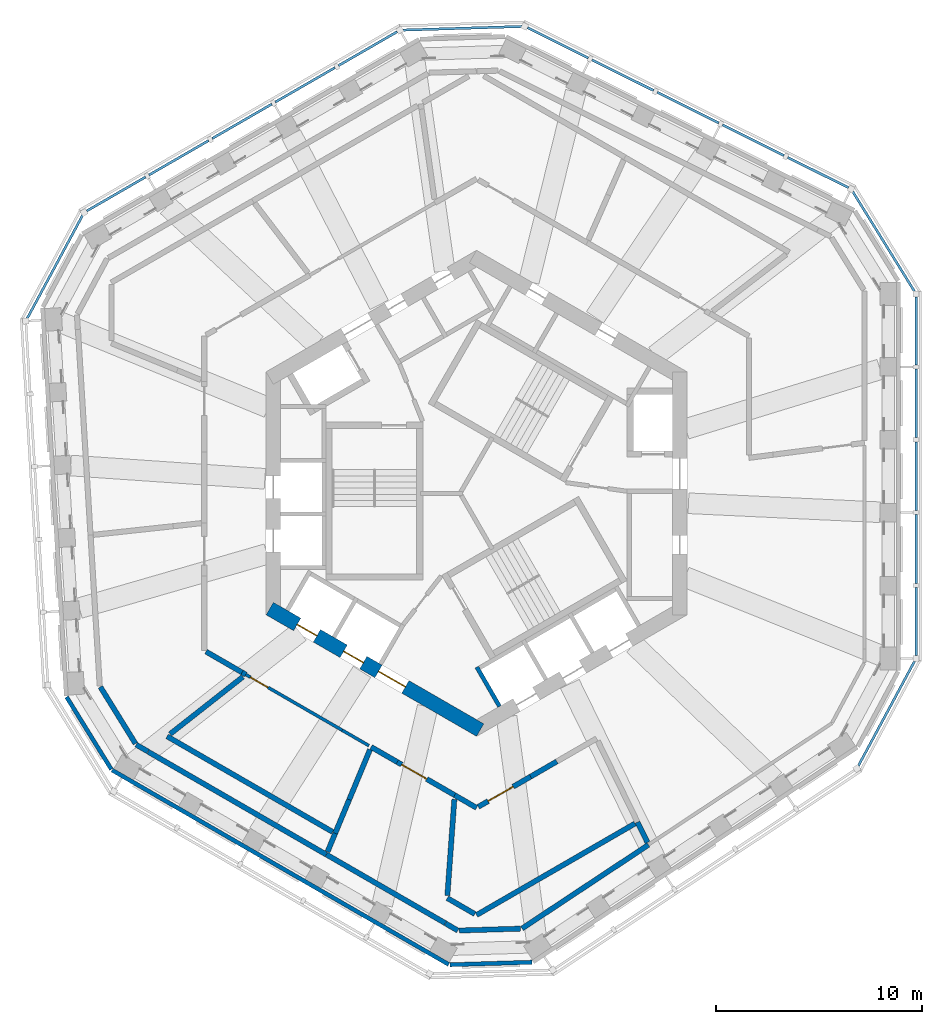
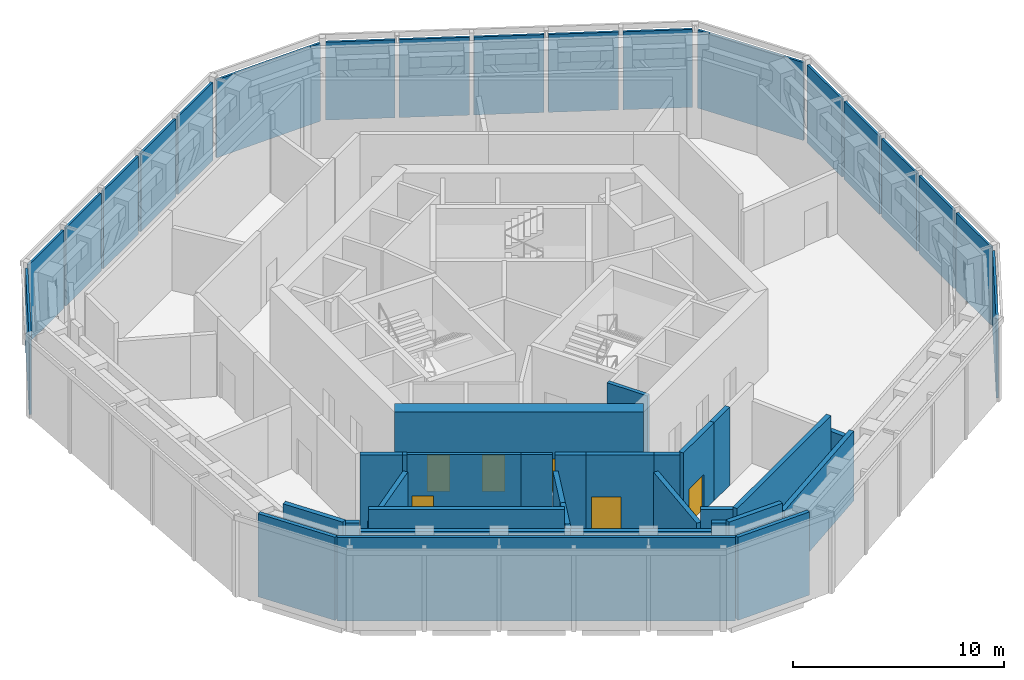
# One storey, part 5 of 14: 30 walls, 19 plates, 6 doors, 6 openings, 7 elements without a shape of their own.
"""IFC4 building model written with IfcOpenShell, lengths in metres."""

from ifc_helpers import new_model, si_unit, direction, frame, frame_2d, origin, origin_2d, place, context, subcontext, project, spatial, rectangle, extrude, material, layer, layer_set, type_object, element, fill, aggregate, save


model = new_model("IFC4")

# Units and contexts
model_context = context("Model", 3, precision=1e-05, world=origin(), true_north=direction((0.0, 1.0)))
body_context = subcontext(model_context, "Body", "Model", "MODEL_VIEW")
ifc_project = project(units=[si_unit("LENGTHUNIT", "METRE"), si_unit("AREAUNIT", "SQUARE_METRE"), si_unit("VOLUMEUNIT", "CUBIC_METRE"), si_unit("PLANEANGLEUNIT", "RADIAN"), si_unit("MASSUNIT", "GRAM", prefix="KILO")], contexts=[model_context])

# Site, building, storey
site_placement = place(None, origin())
site = spatial("IfcSite", under=ifc_project, at=site_placement, CompositionType="ELEMENT")
building_placement = place(site_placement, origin())
building = spatial("IfcBuilding", under=site, at=building_placement, Name="Vanh Sen Convention Tower", CompositionType="ELEMENT")
storey_placement = place(building_placement, frame((0.0, 0.0, 255.0)))
storey = spatial("IfcBuildingStorey", under=building, at=storey_placement, Name="L63", CompositionType="ELEMENT", Elevation=255.0)

# Curtain wall, plates
ifc_material_1 = material(Name="Concrete C50/60", Category="concrete")
curtain_wall_type = type_object("IfcCurtainWallType", Name="Outer skin office zone", PredefinedType="NOTDEFINED", material=ifc_material_1)
curtain_wall_1_placement = place(storey_placement, origin())
curtain_wall_1 = element("IfcCurtainWall", 1, at=curtain_wall_1_placement, inside=storey, type_object=curtain_wall_type, Name="OUTER SKIN E L63", PredefinedType="NOTDEFINED")
ifc_layer_1 = layer(ifc_material_1, 0.1201171875)
ifc_layer_set_1 = layer_set([ifc_layer_1], Name="Concrete C50/60")
plate_type = type_object("IfcPlateType", Name="Outer skin precast screen panel 120", PredefinedType="CURTAIN_PANEL", material=ifc_layer_set_1)
plate_1_placement = place(storey_placement, frame((21.300048828125, -6.2109375, 0.0), z_axis=(0.0, 0.0, 1.0), x_axis=(0.0, 1.0, 0.0)))
plate_1 = element("IfcPlate", 2, at=plate_1_placement, type_object=plate_type, Name="OUTER SKIN screen panel E-1", PredefinedType="CURTAIN_PANEL", context=body_context, shape_type="SweptSolid", body=[
    extrude(rectangle(XDim=3.28369140625, YDim=0.1201171875, at=origin_2d()), origin(), (0.0, 0.0, 1.0), 4.5),
])
plate_2_placement = place(storey_placement, frame((21.300048828125, -2.702392578125, 0.0), z_axis=(0.0, 0.0, 1.0), x_axis=(0.0, 1.0, 0.0)))
plate_2 = element("IfcPlate", 3, at=plate_2_placement, type_object=plate_type, Name="OUTER SKIN screen panel E-2", PredefinedType="CURTAIN_PANEL", context=body_context, shape_type="SweptSolid", body=[
    extrude(rectangle(XDim=3.333740234375, YDim=0.1201171875, at=origin_2d()), origin(), (0.0, 0.0, 1.0), 4.5),
])
plate_3_placement = place(storey_placement, frame((21.300048828125, 0.831298828125, 0.0), z_axis=(0.0, 0.0, 1.0), x_axis=(0.0, 1.0, 0.0)))
plate_3 = element("IfcPlate", 4, at=plate_3_placement, type_object=plate_type, Name="OUTER SKIN screen panel E-3", PredefinedType="CURTAIN_PANEL", context=body_context, shape_type="SweptSolid", body=[
    extrude(rectangle(XDim=3.33349609375, YDim=0.1201171875, at=origin_2d()), origin(), (0.0, 0.0, 1.0), 4.5),
])
plate_4_placement = place(storey_placement, frame((21.300048828125, 4.364990234375, 0.0), z_axis=(0.0, 0.0, 1.0), x_axis=(0.0, 1.0, 0.0)))
plate_4 = element("IfcPlate", 5, at=plate_4_placement, type_object=plate_type, Name="OUTER SKIN screen panel E-4", PredefinedType="CURTAIN_PANEL", context=body_context, shape_type="SweptSolid", body=[
    extrude(rectangle(XDim=3.33349609375, YDim=0.1201171875, at=origin_2d()), origin(), (0.0, 0.0, 1.0), 4.5),
])
plate_5_placement = place(storey_placement, frame((21.300048828125, 7.87353515625, 0.0), z_axis=(0.0, 0.0, 1.0), x_axis=(0.0, 1.0, 0.0)))
plate_5 = element("IfcPlate", 6, at=plate_5_placement, type_object=plate_type, Name="OUTER SKIN screen panel E-5", PredefinedType="CURTAIN_PANEL", context=body_context, shape_type="SweptSolid", body=[
    extrude(rectangle(XDim=3.28369140625, YDim=0.1201171875, at=origin_2d()), origin(), (0.0, 0.0, 1.0), 4.5),
])
aggregate(curtain_wall_1, [plate_1, plate_2, plate_3, plate_4, plate_5])

# Curtain wall, plate
curtain_wall_2_placement = place(storey_placement, origin())
curtain_wall_2 = element("IfcCurtainWall", 7, at=curtain_wall_2_placement, inside=storey, type_object=curtain_wall_type, Name="OUTER SKIN CH1 L63", PredefinedType="NOTDEFINED")
plate_6_placement = place(storey_placement, frame((19.726806640625, 12.20751953125, 0.0), z_axis=(0.0, 0.0, 1.0), x_axis=(-0.526216891938, 0.850350388157, 0.0)))
plate_6 = element("IfcPlate", 8, at=plate_6_placement, type_object=plate_type, Name="OUTER SKIN screen panel CH1-1", PredefinedType="CURTAIN_PANEL", context=body_context, shape_type="SweptSolid", body=[
    extrude(rectangle(XDim=5.6787109375, YDim=0.1201171875, at=origin_2d()), origin(), (0.0, 0.0, 1.0), 4.5),
])
aggregate(curtain_wall_2, [plate_6])

# Curtain wall, plates
curtain_wall_3_placement = place(storey_placement, origin())
curtain_wall_3 = element("IfcCurtainWall", 9, at=curtain_wall_3_placement, inside=storey, type_object=curtain_wall_type, Name="OUTER SKIN NE L63", PredefinedType="NOTDEFINED")
plate_7_placement = place(storey_placement, frame((16.55029296875, 15.549072265625, 0.0), z_axis=(0.0, 0.0, 1.0), x_axis=(-0.894930467757, 0.446205622868, 0.0)))
plate_7 = element("IfcPlate", 10, at=plate_7_placement, type_object=plate_type, Name="OUTER SKIN screen panel NE-1", PredefinedType="CURTAIN_PANEL", context=body_context, shape_type="SweptSolid", body=[
    extrude(rectangle(XDim=3.28369140625, YDim=0.1201171875, at=origin_2d()), origin(), (0.0, 0.0, 1.0), 4.5),
])
plate_8_placement = place(storey_placement, frame((13.410400390625, 17.114501953125, 0.0), z_axis=(0.0, 0.0, 1.0), x_axis=(-0.894935919121, 0.446194689197, 0.0)))
plate_8 = element("IfcPlate", 11, at=plate_8_placement, type_object=plate_type, Name="OUTER SKIN screen panel NE-2", PredefinedType="CURTAIN_PANEL", context=body_context, shape_type="SweptSolid", body=[
    extrude(rectangle(XDim=3.333740234375, YDim=0.1201171875, at=origin_2d()), origin(), (0.0, 0.0, 1.0), 4.5),
])
plate_9_placement = place(storey_placement, frame((10.248046875, 18.691162109375, 0.0), z_axis=(0.0, 0.0, 1.0), x_axis=(-0.894935919121, 0.446194689197, 0.0)))
plate_9 = element("IfcPlate", 12, at=plate_9_placement, type_object=plate_type, Name="OUTER SKIN screen panel NE-3", PredefinedType="CURTAIN_PANEL", context=body_context, shape_type="SweptSolid", body=[
    extrude(rectangle(XDim=3.333740234375, YDim=0.1201171875, at=origin_2d()), origin(), (0.0, 0.0, 1.0), 4.5),
])
plate_10_placement = place(storey_placement, frame((7.085693359375, 20.267822265625, 0.0), z_axis=(0.0, 0.0, 1.0), x_axis=(-0.894935919121, 0.446194689197, 0.0)))
plate_10 = element("IfcPlate", 13, at=plate_10_placement, type_object=plate_type, Name="OUTER SKIN screen panel NE-4", PredefinedType="CURTAIN_PANEL", context=body_context, shape_type="SweptSolid", body=[
    extrude(rectangle(XDim=3.333740234375, YDim=0.1201171875, at=origin_2d()), origin(), (0.0, 0.0, 1.0), 4.5),
])
plate_11_placement = place(storey_placement, frame((3.945556640625, 21.83349609375, 0.0), z_axis=(0.0, 0.0, 1.0), x_axis=(-0.894930467757, 0.446205622868, 0.0)))
plate_11 = element("IfcPlate", 14, at=plate_11_placement, type_object=plate_type, Name="OUTER SKIN screen panel NE-5", PredefinedType="CURTAIN_PANEL", context=body_context, shape_type="SweptSolid", body=[
    extrude(rectangle(XDim=3.28369140625, YDim=0.1201171875, at=origin_2d()), origin(), (0.0, 0.0, 1.0), 4.5),
])
aggregate(curtain_wall_3, [plate_7, plate_8, plate_9, plate_10, plate_11])

# Curtain wall, plate
curtain_wall_4_placement = place(storey_placement, origin())
curtain_wall_4 = element("IfcCurtainWall", 15, at=curtain_wall_4_placement, inside=storey, type_object=curtain_wall_type, Name="OUTER SKIN CH2 L63", PredefinedType="NOTDEFINED")
plate_12_placement = place(storey_placement, frame((-0.688720703125, 22.540283203125, 0.0), z_axis=(0.0, 0.0, 1.0), x_axis=(-0.999533430924, -0.030543746755, 0.0)))
plate_12 = element("IfcPlate", 16, at=plate_12_placement, type_object=plate_type, Name="OUTER SKIN screen panel CH2-1", PredefinedType="CURTAIN_PANEL", context=body_context, shape_type="SweptSolid", body=[
    extrude(rectangle(XDim=5.764404296875, YDim=0.1201171875, at=origin_2d()), origin(), (0.0, 0.0, 1.0), 4.5),
])
aggregate(curtain_wall_4, [plate_12])

# Curtain wall, plates
curtain_wall_5_placement = place(storey_placement, origin())
curtain_wall_5 = element("IfcCurtainWall", 17, at=curtain_wall_5_placement, inside=storey, type_object=curtain_wall_type, Name="OUTER SKIN NW L63", PredefinedType="NOTDEFINED")
plate_13_placement = place(storey_placement, frame((-5.271240234375, 21.5517578125, 0.0), z_axis=(0.0, 0.0, 1.0), x_axis=(-0.866026276448, -0.4999984885, 0.0)))
plate_13 = element("IfcPlate", 18, at=plate_13_placement, type_object=plate_type, Name="OUTER SKIN screen panel NW-1", PredefinedType="CURTAIN_PANEL", context=body_context, shape_type="SweptSolid", body=[
    extrude(rectangle(XDim=3.28369140625, YDim=0.1201171875, at=origin_2d()), origin(), (0.0, 0.0, 1.0), 4.5),
])
plate_14_placement = place(storey_placement, frame((-8.309814453125, 19.797607421875, 0.0), z_axis=(0.0, 0.0, 1.0), x_axis=(-0.866026276448, -0.4999984885, 0.0)))
plate_14 = element("IfcPlate", 19, at=plate_14_placement, type_object=plate_type, Name="OUTER SKIN screen panel NW-2", PredefinedType="CURTAIN_PANEL", context=body_context, shape_type="SweptSolid", body=[
    extrude(rectangle(XDim=3.33349609375, YDim=0.1201171875, at=origin_2d()), origin(), (0.0, 0.0, 1.0), 4.5),
])
plate_15_placement = place(storey_placement, frame((-11.369873046875, 18.03076171875, 0.0), z_axis=(0.0, 0.0, 1.0), x_axis=(-0.866026276448, -0.4999984885, 0.0)))
plate_15 = element("IfcPlate", 20, at=plate_15_placement, type_object=plate_type, Name="OUTER SKIN screen panel NW-3", PredefinedType="CURTAIN_PANEL", context=body_context, shape_type="SweptSolid", body=[
    extrude(rectangle(XDim=3.33349609375, YDim=0.1201171875, at=origin_2d()), origin(), (0.0, 0.0, 1.0), 4.5),
])
plate_16_placement = place(storey_placement, frame((-14.43017578125, 16.263916015625, 0.0), z_axis=(0.0, 0.0, 1.0), x_axis=(-0.866014058921, -0.500019649364, 0.0)))
plate_16 = element("IfcPlate", 21, at=plate_16_placement, type_object=plate_type, Name="OUTER SKIN screen panel NW-4", PredefinedType="CURTAIN_PANEL", context=body_context, shape_type="SweptSolid", body=[
    extrude(rectangle(XDim=3.333740234375, YDim=0.1201171875, at=origin_2d()), origin(), (0.0, 0.0, 1.0), 4.5),
])
plate_17_placement = place(storey_placement, frame((-17.46875, 14.509521484375, 0.0), z_axis=(0.0, 0.0, 1.0), x_axis=(-0.866033257659, -0.499986396443, 0.0)))
plate_17 = element("IfcPlate", 22, at=plate_17_placement, type_object=plate_type, Name="OUTER SKIN screen panel NW-5", PredefinedType="CURTAIN_PANEL", context=body_context, shape_type="SweptSolid", body=[
    extrude(rectangle(XDim=3.28369140625, YDim=0.1201171875, at=origin_2d()), origin(), (0.0, 0.0, 1.0), 4.5),
])
aggregate(curtain_wall_5, [plate_13, plate_14, plate_15, plate_16, plate_17])

# Curtain wall, plate
curtain_wall_6_placement = place(storey_placement, origin())
curtain_wall_6 = element("IfcCurtainWall", 23, at=curtain_wall_6_placement, inside=storey, type_object=curtain_wall_type, Name="OUTER SKIN CH3 L63", PredefinedType="NOTDEFINED")
plate_18_placement = place(storey_placement, frame((-20.435302734375, 10.980224609375, 0.0), z_axis=(0.0, 0.0, 1.0), x_axis=(-0.473307367584, -0.880897346909, 0.0)))
plate_18 = element("IfcPlate", 24, at=plate_18_placement, type_object=plate_type, Name="OUTER SKIN screen panel CH3-1", PredefinedType="CURTAIN_PANEL", context=body_context, shape_type="SweptSolid", body=[
    extrude(rectangle(XDim=5.6787109375, YDim=0.1201171875, at=origin_2d()), origin(), (0.0, 0.0, 1.0), 4.5),
])
aggregate(curtain_wall_6, [plate_18])

curtain_wall_7_placement = place(storey_placement, origin())
curtain_wall_7 = element("IfcCurtainWall", 25, at=curtain_wall_7_placement, inside=storey, type_object=curtain_wall_type, Name="OUTER SKIN CH6 L63", PredefinedType="NOTDEFINED")
plate_19_placement = place(storey_placement, frame((19.864990234375, -10.673828125, 0.0), z_axis=(0.0, 0.0, 1.0), x_axis=(0.473313517396, 0.880894042579, 0.0)))
plate_19 = element("IfcPlate", 26, at=plate_19_placement, type_object=plate_type, Name="OUTER SKIN screen panel CH6-1", PredefinedType="CURTAIN_PANEL", context=body_context, shape_type="SweptSolid", body=[
    extrude(rectangle(XDim=5.76416015625, YDim=0.1201171875, at=origin_2d()), origin(), (0.0, 0.0, 1.0), 4.5),
])
aggregate(curtain_wall_7, [plate_19])

# Walls
ifc_material_2 = material(Name="Concrete C40/50", Category="concrete")
ifc_layer_2 = layer(ifc_material_2, 0.25)
ifc_layer_set_2 = layer_set([ifc_layer_2], Name="Concrete C40/50")
wall_type_1 = type_object("IfcWallType", Name="Concrete wall 250 EI 180", PredefinedType="SOLIDWALL", material=ifc_layer_set_2)
wall_1_placement = place(storey_placement, frame((-0.908935546875, -21.189453125, 0.0), z_axis=(0.0, 0.0, 1.0), x_axis=(-0.866044773228, 0.499966449638, 0.0)))
element("IfcWall", 27, at=wall_1_placement, inside=storey, type_object=wall_type_1, Name="Fire-resisting wall L63-001", PredefinedType="SOLIDWALL", context=body_context, shape_type="SweptSolid", body=[
    extrude(rectangle(XDim=0.69287109375, YDim=0.25, at=frame_2d((0.346435546875, 0.0))), origin(), (0.0, 0.0, 1.0), 4.52001953125),
])
wall_2_placement = place(storey_placement, frame((2.133056640625, -21.098876953125, 0.0), z_axis=(0.0, 0.0, 1.0), x_axis=(-0.999534075992, -0.030522629804, 0.0)))
element("IfcWall", 28, at=wall_2_placement, inside=storey, type_object=wall_type_1, Name="Fire-resisting wall L63-002", PredefinedType="SOLIDWALL", context=body_context, shape_type="SweptSolid", body=[
    extrude(rectangle(XDim=2.9755859375, YDim=0.25, at=frame_2d((1.48779296875, 0.0))), origin(), (0.0, 0.0, 1.0), 4.52001953125),
])
wall_3_placement = place(storey_placement, frame((-1.5166015625, -20.8330078125, 0.0), z_axis=(0.0, 0.0, 1.0), x_axis=(-0.866015126836, 0.500017799774, 0.0)))
element("IfcWall", 29, at=wall_3_placement, inside=storey, type_object=wall_type_1, Name="Fire-resisting wall L63-003", PredefinedType="SOLIDWALL", context=body_context, shape_type="SweptSolid", body=[
    extrude(rectangle(XDim=6.654541015625, YDim=0.25, at=frame_2d((3.3271484375, 0.0))), origin(), (0.0, 0.0, 1.0), 4.02001953125),
])
wall_4_placement = place(storey_placement, frame((-0.086669921875, -20.387939453125, 0.0), z_axis=(0.0, 0.0, 1.0), x_axis=(-0.866116914727, 0.499841464891, 0.0)))
element("IfcWall", 30, at=wall_4_placement, inside=storey, type_object=wall_type_1, Name="Fire-resisting wall L63-004", PredefinedType="SOLIDWALL", context=body_context, shape_type="SweptSolid", body=[
    extrude(rectangle(XDim=1.5390625, YDim=0.25, at=frame_2d((0.76953125, 0.0))), origin(), (0.0, 0.0, 1.0), 4.52001953125),
])
wall_5_placement = place(storey_placement, frame((-7.2919921875, -17.50439453125, 0.0), z_axis=(0.0, 0.0, 1.0), x_axis=(-0.866024002353, 0.500002427343, 0.0)))
element("IfcWall", 31, at=wall_5_placement, inside=storey, type_object=wall_type_1, Name="Fire-resisting wall L63-005", PredefinedType="SOLIDWALL", context=body_context, shape_type="SweptSolid", body=[
    extrude(rectangle(XDim=9.9638671875, YDim=0.25, at=frame_2d((4.98193359375, 0.0))), origin(), (0.0, 0.0, 1.0), 4.02001953125),
])
wall_6_placement = place(storey_placement, frame((-7.223388671875, -17.374755859375, 0.0), z_axis=(0.0, 0.0, 1.0), x_axis=(0.382374085118, 0.924007607669, 0.0)))
element("IfcWall", 32, at=wall_6_placement, inside=storey, type_object=wall_type_1, Name="Fire-resisting wall L63-006", PredefinedType="SOLIDWALL", context=body_context, shape_type="SweptSolid", body=[
    extrude(rectangle(XDim=0.96728515625, YDim=0.25, at=frame_2d((0.483642578125, 0.0))), origin(), (0.0, 0.0, 1.0), 3.60009765625),
])
wall_7_placement = place(storey_placement, frame((8.330078125, -17.03759765625, 0.0), z_axis=(0.0, 0.0, 1.0), x_axis=(-0.833910848154, -0.551899173156, 0.0)))
element("IfcWall", 33, at=wall_7_placement, inside=storey, type_object=wall_type_1, Name="Fire-resisting wall L63-007", PredefinedType="SOLIDWALL", context=body_context, shape_type="SweptSolid", body=[
    extrude(rectangle(XDim=7.349853515625, YDim=0.25, at=frame_2d((3.6748046875, 0.0))), origin(), (0.0, 0.0, 1.0), 4.02001953125),
])
wall_8_placement = place(storey_placement, frame((8.282470703125, -16.920654296875, 0.0), z_axis=(0.0, 0.0, 1.0), x_axis=(-0.438730750158, 0.898618566949, 0.0)))
element("IfcWall", 34, at=wall_8_placement, inside=storey, type_object=wall_type_1, Name="Fire-resisting wall L63-008", PredefinedType="SOLIDWALL", context=body_context, shape_type="SweptSolid", body=[
    extrude(rectangle(XDim=1.09619140625, YDim=0.25, at=frame_2d((0.548095703125, 0.0))), origin(), (0.0, 0.0, 1.0), 3.60009765625),
])
wall_9_placement = place(storey_placement, frame((-6.8525390625, -16.478515625, 0.0), z_axis=(0.0, 0.0, 1.0), x_axis=(0.38378052161, 0.923424339745, 0.0)))
element("IfcWall", 35, at=wall_9_placement, inside=storey, type_object=wall_type_1, Name="Fire-resisting wall L63-009", PredefinedType="SOLIDWALL", context=body_context, shape_type="SweptSolid", body=[
    extrude(rectangle(XDim=1.765380859375, YDim=0.25, at=frame_2d((0.8828125, 0.0))), origin(), (0.0, 0.0, 1.0), 3.60009765625),
])
wall_10_placement = place(storey_placement, frame((-6.974853515625, -16.410888671875, 0.0), z_axis=(0.0, 0.0, 1.0), x_axis=(-0.866045613381, 0.499964994319, 0.0)))
element("IfcWall", 36, at=wall_10_placement, inside=storey, type_object=wall_type_1, Name="Fire-resisting wall L63-010", PredefinedType="SOLIDWALL", context=body_context, shape_type="SweptSolid", body=[
    extrude(rectangle(XDim=9.265380859375, YDim=0.25, at=frame_2d((4.6328125, 0.0))), origin(), (0.0, 0.0, 1.0), 4.52001953125),
])
wall_11_placement = place(storey_placement, frame((7.67822265625, -16.0048828125, 0.0), z_axis=(0.0, 0.0, 1.0), x_axis=(-0.866021420858, -0.500006898567, 0.0)))
element("IfcWall", 37, at=wall_11_placement, inside=storey, type_object=wall_type_1, Name="Fire-resisting wall L63-011", PredefinedType="SOLIDWALL", context=body_context, shape_type="SweptSolid", body=[
    extrude(rectangle(XDim=8.865966796875, YDim=0.25, at=frame_2d((4.43310546875, 0.0))), origin(), (0.0, 0.0, 1.0), 4.52001953125),
])
wall_12_placement = place(storey_placement, frame((0.0, -15.241943359375, 0.0), z_axis=(0.0, 0.0, 1.0), x_axis=(-0.866052913447, 0.499952348839, 0.0)))
element("IfcWall", 38, at=wall_12_placement, inside=storey, type_object=wall_type_1, Name="Fire-resisting wall L63-013", PredefinedType="SOLIDWALL", context=body_context, shape_type="SweptSolid", body=[
    extrude(rectangle(XDim=1.2255859375, YDim=0.25, at=frame_2d((0.61279296875, 0.0))), origin(), (0.0, 0.0, 1.0), 4.52001953125),
])
wall_13_placement = place(storey_placement, frame((-6.175048828125, -14.848388671875, 0.0), z_axis=(0.0, 0.0, 1.0), x_axis=(0.383969284398, 0.923345866205, 0.0)))
element("IfcWall", 39, at=wall_13_placement, inside=storey, type_object=wall_type_1, Name="Fire-resisting wall L63-014", PredefinedType="SOLIDWALL", context=body_context, shape_type="SweptSolid", body=[
    extrude(rectangle(XDim=2.6298828125, YDim=0.25, at=frame_2d((1.31494140625, 0.0))), origin(), (0.0, 0.0, 1.0), 3.60009765625),
])
wall_14_placement = place(storey_placement, frame((-1.075927734375, -14.82861328125, 0.0), z_axis=(0.0, 0.0, 1.0), x_axis=(-0.072399845952, -0.997375687645, 0.0)))
element("IfcWall", 40, at=wall_14_placement, inside=storey, type_object=wall_type_1, Name="Fire-resisting wall L63-015", PredefinedType="SOLIDWALL", context=body_context, shape_type="SweptSolid", body=[
    extrude(rectangle(XDim=4.680419921875, YDim=0.25, at=frame_2d((2.34033203125, 0.0))), origin(), (0.0, 0.0, 1.0), 3.60009765625),
])

# Wall, opening, door
wall_15_placement = place(storey_placement, frame((-1.0615234375, -14.629150390625, 0.0), z_axis=(0.0, 0.0, 1.0), x_axis=(-0.866018596809, 0.500011789842, 0.0)))
wall_15 = element("IfcWall", 41, at=wall_15_placement, inside=storey, type_object=wall_type_1, Name="Fire-resisting wall L63-016", PredefinedType="SOLIDWALL", context=body_context, shape_type="SweptSolid", body=[
    extrude(rectangle(XDim=3.2138671875, YDim=0.25, at=frame_2d((1.60693359375, 0.0))), origin(), (0.0, 0.0, 1.0), 4.52001953125),
])
opening_1_placement = place(wall_15_placement, frame((1.56396484375, 0.0, 0.0)))
opening_1 = element("IfcOpeningElement", 42, at=opening_1_placement, cuts=wall_15, Name="Opening D63101", PredefinedType="OPENING", context=body_context, shape_type="SweptSolid", body=[
    extrude(rectangle(XDim=1.39990234375, YDim=2.10009765625, at=frame_2d((0.699951171875, 1.050048828125))), frame((0.0, 0.135009765625, 0.0), z_axis=(0.0, -1.0, 0.0), x_axis=(1.0, 0.0, 0.0)), (0.0, 0.0, 1.0), 0.27001953125),
])
ifc_material_3 = material(Name="Steel S355", Category="steel")
door_type_1 = type_object("IfcDoorType", Name="Service door 1400 EI 60", OperationType="SINGLE_SWING_LEFT", PredefinedType="DOOR", material=ifc_material_3)
door_1_placement = place(opening_1_placement, origin())
door_1 = element("IfcDoor", 43, at=door_1_placement, inside=storey, type_object=door_type_1, Name="Service door D63101", OperationType="SINGLE_SWING_LEFT", OverallHeight=2.10009765625, OverallWidth=1.39990234375, PredefinedType="DOOR", context=body_context, shape_type="SweptSolid", body=[
    extrude(rectangle(XDim=1.39990234375, YDim=2.10009765625, at=frame_2d((0.699951171875, 1.050048828125))), frame((0.0, 0.02490234375, 0.0), z_axis=(0.0, -1.0, 0.0), x_axis=(1.0, 0.0, 0.0)), (0.0, 0.0, 1.0), 0.050048828125),
])
fill(opening_1, door_1)

wall_16_placement = place(storey_placement, frame((2.616455078125, -13.7314453125, 0.0), z_axis=(0.0, 0.0, 1.0), x_axis=(-0.866043624834, -0.499968438888, 0.0)))
wall_16 = element("IfcWall", 44, at=wall_16_placement, inside=storey, type_object=wall_type_1, Name="Fire-resisting wall L63-017", PredefinedType="SOLIDWALL", context=body_context, shape_type="SweptSolid", body=[
    extrude(rectangle(XDim=2.921142578125, YDim=0.25, at=frame_2d((1.46044921875, 0.0))), origin(), (0.0, 0.0, 1.0), 4.52001953125),
])
opening_2_placement = place(wall_16_placement, frame((0.97119140625, 0.0, 0.0)))
opening_2 = element("IfcOpeningElement", 45, at=opening_2_placement, cuts=wall_16, Name="Opening D63102", PredefinedType="OPENING", context=body_context, shape_type="SweptSolid", body=[
    extrude(rectangle(XDim=1.39990234375, YDim=2.10009765625, at=frame_2d((0.699951171875, 1.050048828125))), frame((0.0, 0.135009765625, 0.0), z_axis=(0.0, -1.0, 0.0), x_axis=(1.0, 0.0, 0.0)), (0.0, 0.0, 1.0), 0.27001953125),
])
door_2_placement = place(opening_2_placement, origin())
door_2 = element("IfcDoor", 46, at=door_2_placement, inside=storey, type_object=door_type_1, Name="Service door D63102", OperationType="SINGLE_SWING_LEFT", OverallHeight=2.10009765625, OverallWidth=1.39990234375, PredefinedType="DOOR", context=body_context, shape_type="SweptSolid", body=[
    extrude(rectangle(XDim=1.39990234375, YDim=2.10009765625, at=frame_2d((0.699951171875, 1.050048828125))), frame((0.0, 0.02490234375, 0.0), z_axis=(0.0, -1.0, 0.0), x_axis=(1.0, 0.0, 0.0)), (0.0, 0.0, 1.0), 0.050048828125),
])
fill(opening_2, door_2)

# Walls
wall_17_placement = place(storey_placement, frame((2.616455078125, -13.7314453125, 0.0), z_axis=(0.0, 0.0, 1.0), x_axis=(0.866047289552, 0.499962090823, 0.0)))
element("IfcWall", 47, at=wall_17_placement, inside=storey, type_object=wall_type_1, Name="Fire-resisting wall L63-018", PredefinedType="SOLIDWALL", context=body_context, shape_type="SweptSolid", body=[
    extrude(rectangle(XDim=1.4697265625, YDim=0.25, at=frame_2d((0.73486328125, 0.0))), origin(), (0.0, 0.0, 1.0), 4.52001953125),
])
wall_18_placement = place(storey_placement, frame((-3.8447265625, -13.022216796875, 0.0), z_axis=(0.0, 0.0, 1.0), x_axis=(-0.866088314402, 0.499891019779, 0.0)))
element("IfcWall", 48, at=wall_18_placement, inside=storey, type_object=wall_type_1, Name="Fire-resisting wall L63-019", PredefinedType="SOLIDWALL", context=body_context, shape_type="SweptSolid", body=[
    extrude(rectangle(XDim=1.462646484375, YDim=0.25, at=frame_2d((0.7314453125, 0.0))), origin(), (0.0, 0.0, 1.0), 4.52001953125),
])
wall_19_placement = place(storey_placement, frame((-15.930908203125, -12.510498046875, 0.0), z_axis=(0.0, 0.0, 1.0), x_axis=(-0.865907869998, 0.500203519255, 0.0)))
element("IfcWall", 49, at=wall_19_placement, inside=storey, type_object=wall_type_1, Name="Fire-resisting wall L63-021", PredefinedType="SOLIDWALL", context=body_context, shape_type="SweptSolid", body=[
    extrude(rectangle(XDim=0.658935546875, YDim=0.25, at=frame_2d((0.32958984375, 0.0))), origin(), (0.0, 0.0, 1.0), 4.52001953125),
])
wall_20_placement = place(storey_placement, frame((-16.532958984375, -12.1298828125, 0.0), z_axis=(0.0, 0.0, 1.0), x_axis=(-0.526318183269, 0.850287698347, 0.0)))
element("IfcWall", 50, at=wall_20_placement, inside=storey, type_object=wall_type_1, Name="Fire-resisting wall L63-022", PredefinedType="SOLIDWALL", context=body_context, shape_type="SweptSolid", body=[
    extrude(rectangle(XDim=3.22998046875, YDim=0.25, at=frame_2d((1.614990234375, 0.0))), origin(), (0.0, 0.0, 1.0), 4.52001953125),
])
wall_21_placement = place(storey_placement, frame((-14.853271484375, -11.665771484375, 0.0), z_axis=(0.0, 0.0, 1.0), x_axis=(0.786320228008, 0.617819147506, 0.0)))
element("IfcWall", 51, at=wall_21_placement, inside=storey, type_object=wall_type_1, Name="Fire-resisting wall L63-023", PredefinedType="SOLIDWALL", context=body_context, shape_type="SweptSolid", body=[
    extrude(rectangle(XDim=4.484375, YDim=0.25, at=frame_2d((2.2421875, 0.0))), origin(), (0.0, 0.0, 1.0), 3.60009765625),
])
wall_22_placement = place(storey_placement, frame((-11.363037109375, -8.681396484375, 0.0), z_axis=(0.0, 0.0, 1.0), x_axis=(0.865888002441, -0.500237910626, 0.0)))
element("IfcWall", 52, at=wall_22_placement, inside=storey, type_object=wall_type_1, Name="Fire-resisting wall L63-028", PredefinedType="SOLIDWALL", context=body_context, shape_type="SweptSolid", body=[
    extrude(rectangle(XDim=0.205078125, YDim=0.25, at=frame_2d((0.1025390625, 0.0))), origin(), (0.0, 0.0, 1.0), 4.52001953125),
])
wall_23_placement = place(storey_placement, frame((-13.11328125, -7.6708984375, 0.0), z_axis=(0.0, 0.0, 1.0), x_axis=(0.866026663364, -0.499997818338, 0.0)))
element("IfcWall", 53, at=wall_23_placement, inside=storey, type_object=wall_type_1, Name="Fire-resisting wall L63-030", PredefinedType="SOLIDWALL", context=body_context, shape_type="SweptSolid", body=[
    extrude(rectangle(XDim=2.02099609375, YDim=0.25, at=frame_2d((1.010498046875, 0.0))), origin(), (0.0, 0.0, 1.0), 4.52001953125),
])

# Wall, openings, doors
ifc_material_4 = material(Name="Concrete C60/75", Category="concrete")
ifc_layer_3 = layer(ifc_material_4, 0.699951171875)
ifc_layer_set_3 = layer_set([ifc_layer_3], Name="Concrete C60/75")
wall_type_2 = type_object("IfcWallType", Name="Core outer wall 700 C60/75", PredefinedType="SHEAR", material=ifc_layer_set_3)
wall_24_placement = place(storey_placement, frame((-10.02490234375, -5.5859375, 0.0), z_axis=(0.0, 0.0, 1.0), x_axis=(0.866026453023, -0.499998182661, 0.0)))
wall_24 = element("IfcWall", 54, at=wall_24_placement, inside=storey, type_object=wall_type_2, Name="Core wall face SW L63", PredefinedType="SHEAR", context=body_context, shape_type="SweptSolid", body=[
    extrude(rectangle(XDim=11.77783203125, YDim=0.699951171875, at=frame_2d((5.888916015625, 0.0))), origin(), (0.0, 0.0, 1.0), 4.800048828125),
])
opening_3_placement = place(wall_24_placement, frame((6.089111328125, 0.0, 0.0)))
opening_3 = element("IfcOpeningElement", 55, at=opening_3_placement, cuts=wall_24, Name="Opening D63003", PredefinedType="OPENING", context=body_context, shape_type="SweptSolid", body=[
    extrude(rectangle(XDim=1.5, YDim=2.10009765625, at=frame_2d((0.75, 1.050048828125))), frame((0.0, 0.35986328125, 0.0), z_axis=(0.0, -1.0, 0.0), x_axis=(1.0, 0.0, 0.0)), (0.0, 0.0, 1.0), 0.719970703125),
])
opening_4_placement = place(wall_24_placement, frame((1.5390625, 0.0, 0.0)))
opening_4 = element("IfcOpeningElement", 56, at=opening_4_placement, cuts=wall_24, Name="Opening LD-HR3", PredefinedType="OPENING", context=body_context, shape_type="SweptSolid", body=[
    extrude(rectangle(XDim=1.10009765625, YDim=2.10009765625, at=frame_2d((0.550048828125, 1.050048828125))), frame((0.0, 0.35986328125, 0.0), z_axis=(0.0, -1.0, 0.0), x_axis=(1.0, 0.0, 0.0)), (0.0, 0.0, 1.0), 0.719970703125),
])
opening_5_placement = place(wall_24_placement, frame((4.138916015625, 0.0, 0.0)))
opening_5 = element("IfcOpeningElement", 57, at=opening_5_placement, cuts=wall_24, Name="Opening LD-HR4", PredefinedType="OPENING", context=body_context, shape_type="SweptSolid", body=[
    extrude(rectangle(XDim=1.10009765625, YDim=2.10009765625, at=frame_2d((0.550048828125, 1.050048828125))), frame((0.0, 0.35986328125, 0.0), z_axis=(0.0, -1.0, 0.0), x_axis=(1.0, 0.0, 0.0)), (0.0, 0.0, 1.0), 0.719970703125),
])
ifc_material_5 = material(Name="Stainless steel", Category="steel")
door_type_2 = type_object("IfcDoorType", Name="Lift landing door 1100", OperationType="DOUBLE_DOOR_SLIDING", PredefinedType="DOOR", material=ifc_material_5)
door_3_placement = place(opening_4_placement, origin())
door_3 = element("IfcDoor", 58, at=door_3_placement, inside=storey, type_object=door_type_2, Name="Lift HR3 landing door LD-HR3", OperationType="DOUBLE_DOOR_SLIDING", OverallHeight=2.10009765625, OverallWidth=1.10009765625, PredefinedType="DOOR", context=body_context, shape_type="SweptSolid", body=[
    extrude(rectangle(XDim=1.10009765625, YDim=2.10009765625, at=frame_2d((0.550048828125, 1.050048828125))), frame((0.0, 0.02490234375, 0.0), z_axis=(0.0, -1.0, 0.0), x_axis=(1.0, 0.0, 0.0)), (0.0, 0.0, 1.0), 0.050048828125),
])
fill(opening_4, door_3)
door_4_placement = place(opening_5_placement, origin())
door_4 = element("IfcDoor", 59, at=door_4_placement, inside=storey, type_object=door_type_2, Name="Lift HR4 landing door LD-HR4", OperationType="DOUBLE_DOOR_SLIDING", OverallHeight=2.10009765625, OverallWidth=1.10009765625, PredefinedType="DOOR", context=body_context, shape_type="SweptSolid", body=[
    extrude(rectangle(XDim=1.10009765625, YDim=2.10009765625, at=frame_2d((0.550048828125, 1.050048828125))), frame((0.0, 0.02490234375, 0.0), z_axis=(0.0, -1.0, 0.0), x_axis=(1.0, 0.0, 0.0)), (0.0, 0.0, 1.0), 0.050048828125),
])
fill(opening_5, door_4)
ifc_material_6 = material(Name="Steel S355", Category="steel")
door_type_3 = type_object("IfcDoorType", Name="Stair lobby door 1500", OperationType="DOUBLE_DOOR_SINGLE_SWING", PredefinedType="DOOR", material=ifc_material_6)
door_5_placement = place(opening_3_placement, origin())
door_5 = element("IfcDoor", 60, at=door_5_placement, inside=storey, type_object=door_type_3, Name="Stair lobby door D63003", OperationType="DOUBLE_DOOR_SINGLE_SWING", OverallHeight=2.10009765625, OverallWidth=1.5, PredefinedType="DOOR", context=body_context, shape_type="SweptSolid", body=[
    extrude(rectangle(XDim=1.5, YDim=2.10009765625, at=frame_2d((0.75, 1.050048828125))), frame((0.0, 0.02490234375, 0.0), z_axis=(0.0, -1.0, 0.0), x_axis=(1.0, 0.0, 0.0)), (0.0, 0.0, 1.0), 0.050048828125),
])
fill(opening_3, door_5)

# Walls
ifc_material_7 = material(Name="Insulated lightweight infill wall")
ifc_layer_4 = layer(ifc_material_7, 0.199951171875)
ifc_layer_set_4 = layer_set([ifc_layer_4], Name="Insulated lightweight infill wall")
wall_type_3 = type_object("IfcWallType", Name="External wall 200", PredefinedType="STANDARD", material=ifc_layer_set_4)
wall_25_placement = place(storey_placement, frame((-19.872802734375, -9.869140625, 0.0), z_axis=(0.0, 0.0, 1.0), x_axis=(0.52626914263, -0.850318051975, 0.0)))
element("IfcWall", 61, at=wall_25_placement, inside=storey, type_object=wall_type_3, Name="External wall CH4 L63", PredefinedType="STANDARD", context=body_context, shape_type="SweptSolid", body=[
    extrude(rectangle(XDim=4.130126953125, YDim=0.199951171875, at=frame_2d((2.06494140625, 0.0))), origin(), (0.0, 0.0, 1.0), 4.800048828125),
])
wall_26_placement = place(storey_placement, frame((-17.664306640625, -13.4150390625, 0.0), z_axis=(0.0, 0.0, 1.0), x_axis=(0.866026555358, -0.49999800541, 0.0)))
element("IfcWall", 62, at=wall_26_placement, inside=storey, type_object=wall_type_3, Name="External wall SW L63", PredefinedType="STANDARD", context=body_context, shape_type="SweptSolid", body=[
    extrude(rectangle(XDim=18.84130859375, YDim=0.199951171875, at=frame_2d((9.420654296875, 0.0))), origin(), (0.0, 0.0, 1.0), 4.800048828125),
])
wall_27_placement = place(storey_placement, frame((-1.294189453125, -22.84912109375, 0.0), z_axis=(0.0, 0.0, 1.0), x_axis=(0.999533952558, 0.030526671678, 0.0)))
element("IfcWall", 63, at=wall_27_placement, inside=storey, type_object=wall_type_3, Name="External wall CH5 L63", PredefinedType="STANDARD", context=body_context, shape_type="SweptSolid", body=[
    extrude(rectangle(XDim=3.98291015625, YDim=0.199951171875, at=frame_2d((1.991455078125, 0.0))), origin(), (0.0, 0.0, 1.0), 4.800048828125),
])
ifc_layer_5 = layer(ifc_material_2, 0.199951171875)
ifc_layer_set_5 = layer_set([ifc_layer_5], Name="Concrete C40/50")
wall_type_4 = type_object("IfcWallType", Name="Lift shaft wall 200", PredefinedType="PARTITIONING", material=ifc_layer_set_5)
wall_28_placement = place(storey_placement, frame((0.0126953125, -8.422119140625, 0.0), z_axis=(0.0, 0.0, 1.0), x_axis=(0.500077893725, -0.86598042715, 0.0)))
element("IfcWall", 64, at=wall_28_placement, inside=storey, type_object=wall_type_4, Name="Lift shaft wall L63", PredefinedType="PARTITIONING", context=body_context, shape_type="SweptSolid", body=[
    extrude(rectangle(XDim=2.199951171875, YDim=0.199951171875, at=frame_2d((1.10009765625, 0.0))), origin(), (0.0, 0.0, 1.0), 4.52001953125),
])
ifc_material_8 = material(Name="Gypsum board on steel studs", Category="steel")
ifc_layer_6 = layer(ifc_material_8, 0.14990234375)
ifc_layer_set_6 = layer_set([ifc_layer_6], Name="Gypsum board on steel studs")
wall_type_5 = type_object("IfcWallType", Name="Partition 150", PredefinedType="PARTITIONING", material=ifc_layer_set_6)
wall_29_placement = place(storey_placement, frame((-6.513427734375, -11.4814453125, 0.0), z_axis=(0.0, 0.0, 1.0), x_axis=(0.866009279501, -0.500027927039, 0.0)))
element("IfcWall", 65, at=wall_29_placement, inside=storey, type_object=wall_type_5, Name="Partition L63-024", PredefinedType="PARTITIONING", context=body_context, shape_type="SweptSolid", body=[
    extrude(rectangle(XDim=1.4990234375, YDim=0.14990234375, at=frame_2d((0.74951171875, 0.0))), origin(), (0.0, 0.0, 1.0), 4.52001953125),
])

# Wall, opening, door
wall_30_placement = place(storey_placement, frame((-11.185546875, -8.783935546875, 0.0), z_axis=(0.0, 0.0, 1.0), x_axis=(0.866020546064, -0.500008413725, 0.0)))
wall_30 = element("IfcWall", 66, at=wall_30_placement, inside=storey, type_object=wall_type_5, Name="Partition L63-027", PredefinedType="PARTITIONING", context=body_context, shape_type="SweptSolid", body=[
    extrude(rectangle(XDim=5.39501953125, YDim=0.14990234375, at=frame_2d((2.697509765625, 0.0))), origin(), (0.0, 0.0, 1.0), 4.52001953125),
])
opening_6_placement = place(wall_30_placement, frame((0.25, 0.0, 0.0)))
opening_6 = element("IfcOpeningElement", 67, at=opening_6_placement, cuts=wall_30, Name="Opening D63103", PredefinedType="OPENING", context=body_context, shape_type="SweptSolid", body=[
    extrude(rectangle(XDim=1.0, YDim=2.10009765625, at=frame_2d((0.5, 1.050048828125))), frame((0.0, 0.0849609375, 0.0), z_axis=(0.0, -1.0, 0.0), x_axis=(1.0, 0.0, 0.0)), (0.0, 0.0, 1.0), 0.169921875),
])
ifc_material_9 = material(Name="Timber door in steel frame", Category="steel")
door_type_4 = type_object("IfcDoorType", Name="Room door 1000", OperationType="SINGLE_SWING_LEFT", PredefinedType="DOOR", material=ifc_material_9)
door_6_placement = place(opening_6_placement, origin())
door_6 = element("IfcDoor", 68, at=door_6_placement, inside=storey, type_object=door_type_4, Name="Room door D63103", OperationType="SINGLE_SWING_LEFT", OverallHeight=2.10009765625, OverallWidth=1.0, PredefinedType="DOOR", context=body_context, shape_type="SweptSolid", body=[
    extrude(rectangle(XDim=1.0, YDim=2.10009765625, at=frame_2d((0.5, 1.050048828125))), frame((0.0, 0.02490234375, 0.0), z_axis=(0.0, -1.0, 0.0), x_axis=(1.0, 0.0, 0.0)), (0.0, 0.0, 1.0), 0.050048828125),
])
fill(opening_6, door_6)

save(model, "model.ifc")
